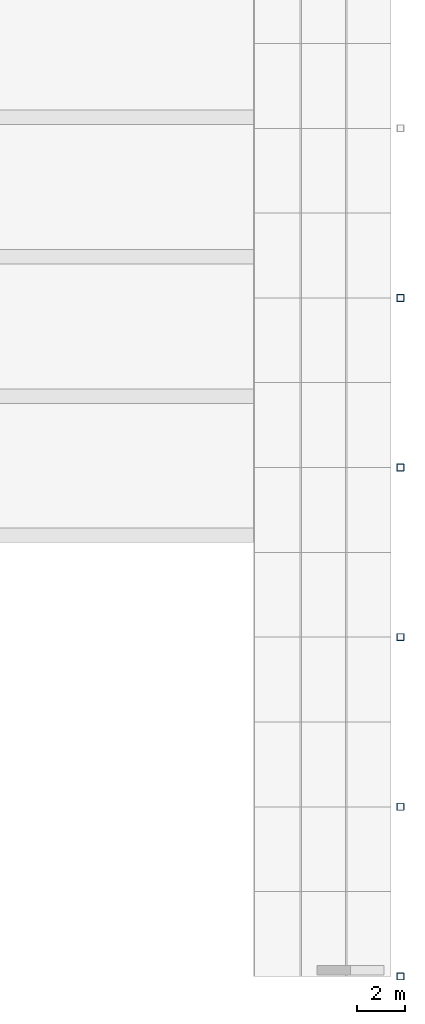
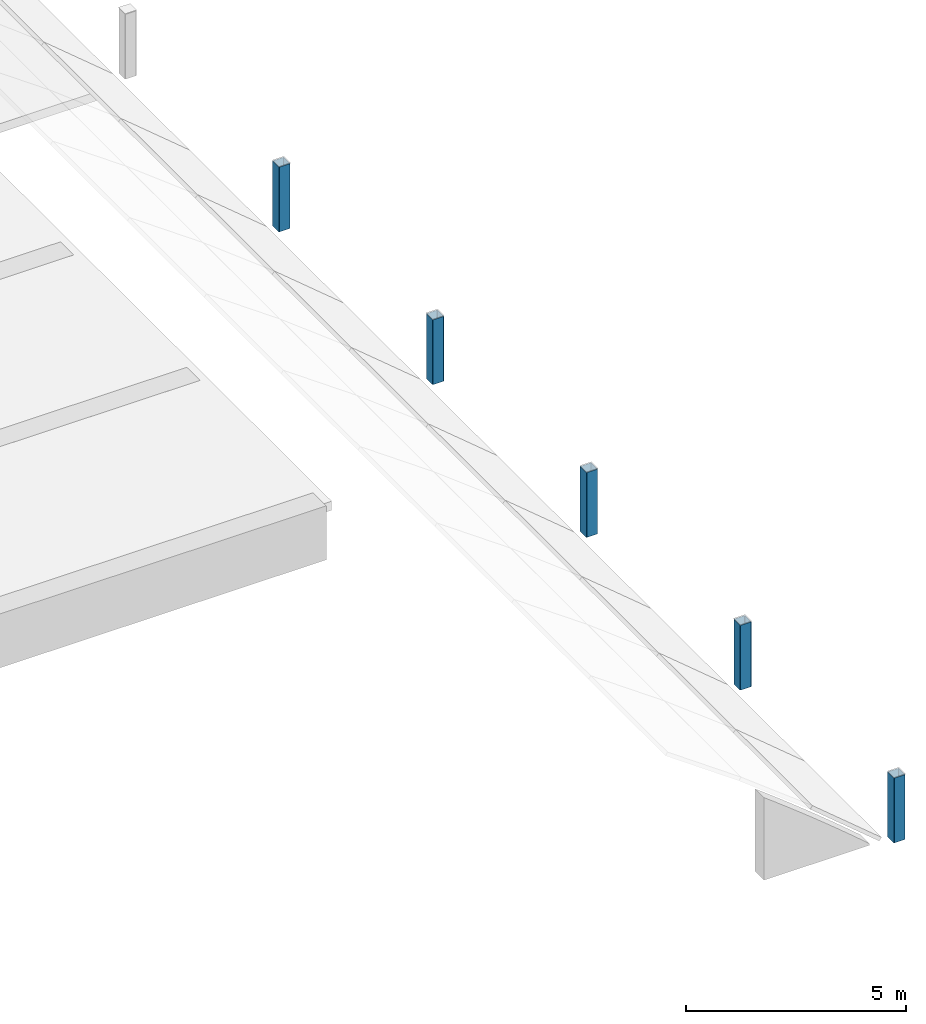
# One storey, part 6 of 89: 5 columns.
"""IFC4 building model written with IfcOpenShell, lengths in metres."""

from ifc_helpers import new_model, si_unit, direction, frame, origin, origin_2d, place, context, subcontext, project, spatial, hollow_rectangle, extrude, material, material_profile, profile_set, type_object, element, save


model = new_model("IFC4")

# Units and contexts
model_context = context("Model", 3, precision=1e-05, world=origin(), true_north=direction((0.0, 1.0)))
body_context = subcontext(model_context, "Body", "Model", "MODEL_VIEW")
ifc_project = project(units=[si_unit("LENGTHUNIT", "METRE"), si_unit("AREAUNIT", "SQUARE_METRE"), si_unit("VOLUMEUNIT", "CUBIC_METRE"), si_unit("PLANEANGLEUNIT", "RADIAN"), si_unit("MASSUNIT", "GRAM", prefix="KILO")], contexts=[model_context])

# Site, building, storey
site_placement = place(None, origin())
site = spatial("IfcSite", under=ifc_project, at=site_placement, CompositionType="ELEMENT")
building_placement = place(site_placement, origin())
building = spatial("IfcBuilding", under=site, at=building_placement, Name="Lantern Court Media Centre", CompositionType="ELEMENT")
storey_placement = place(building_placement, frame((0.0, 0.0, 14.39990234375)))
storey = spatial("IfcBuildingStorey", under=building, at=storey_placement, Name="L03", CompositionType="ELEMENT", Elevation=14.39990234375)

# Columns
ifc_material = material(Name="Steel S355J2 (EN 10025-2)", Category="steel")
ifc_material_profile = material_profile(ifc_material, hollow_rectangle(XDim=0.300048828125, YDim=0.300048828125, WallThickness=0.012451171875, InnerFilletRadius=0.012451171875, OuterFilletRadius=0.018798828125, at=origin_2d()), Name="Studio Hall buttress pinnacle SHS 300x12.5")
ifc_profile_set = profile_set([ifc_material_profile], Name="Steel S355J2 (EN 10025-2)")
column_type = type_object("IfcColumnType", Name="Studio Hall buttress pinnacle SHS 300x12.5", PredefinedType="COLUMN", material=ifc_profile_set)
for number, where, z_axis, x_axis, name in (
    (1, (104.4501953125, -2.0, 0.0), (0.0, 0.0, 1.0), (1.0, 0.0, 0.0), "Studio Hall pinnacle east 1"),
    (2, (104.4501953125, 5.0, 0.0), (0.0, 0.0, 1.0), (1.0, 0.0, 0.0), "Studio Hall pinnacle east 2"),
    (3, (104.4501953125, 12.0, 0.0), (0.0, 0.0, 1.0), (1.0, 0.0, 0.0), "Studio Hall pinnacle east 3"),
    (4, (104.4501953125, 19.0, 0.0), (0.0, 0.0, 1.0), (1.0, 0.0, 0.0), "Studio Hall pinnacle east 4"),
    (5, (104.4501953125, 26.0, 0.0), (0.0, 0.0, 1.0), (1.0, 0.0, 0.0), "Studio Hall pinnacle east 5"),
):
    element("IfcColumn", number, at=place(storey_placement, frame(where, z_axis=z_axis, x_axis=x_axis)), inside=storey, type_object=column_type, Name=name, PredefinedType="COLUMN", context=body_context, shape_type="SweptSolid", body=[
        extrude(hollow_rectangle(XDim=0.300048828125, YDim=0.300048828125, WallThickness=0.012451171875, InnerFilletRadius=0.012451171875, OuterFilletRadius=0.018798828125, at=origin_2d()), origin(), (0.0, 0.0, 1.0), 1.800048828125),
    ])

save(model, "model.ifc")
